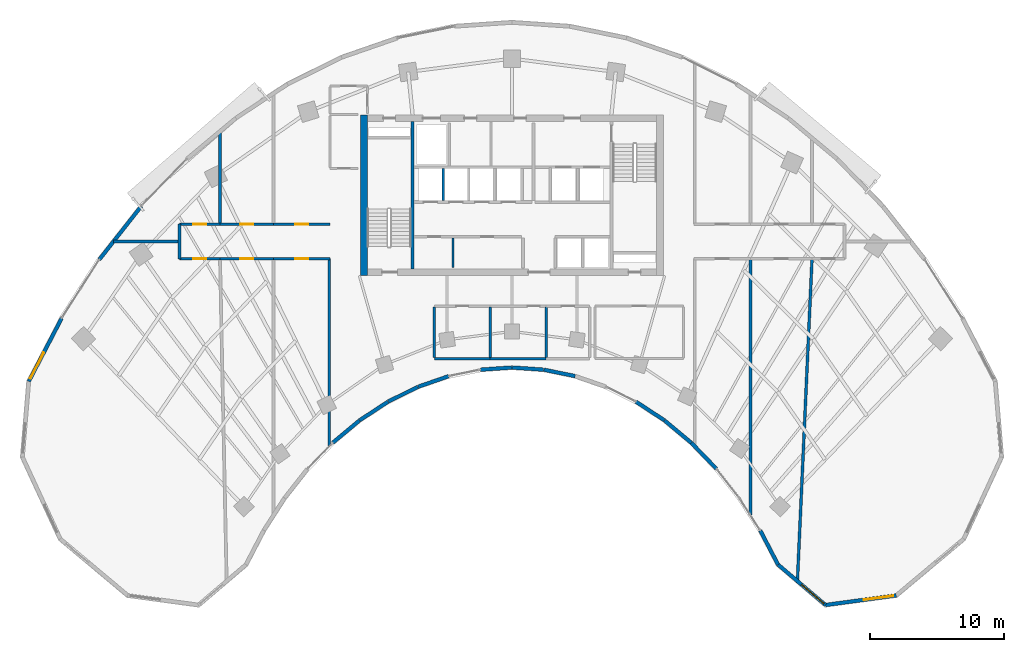
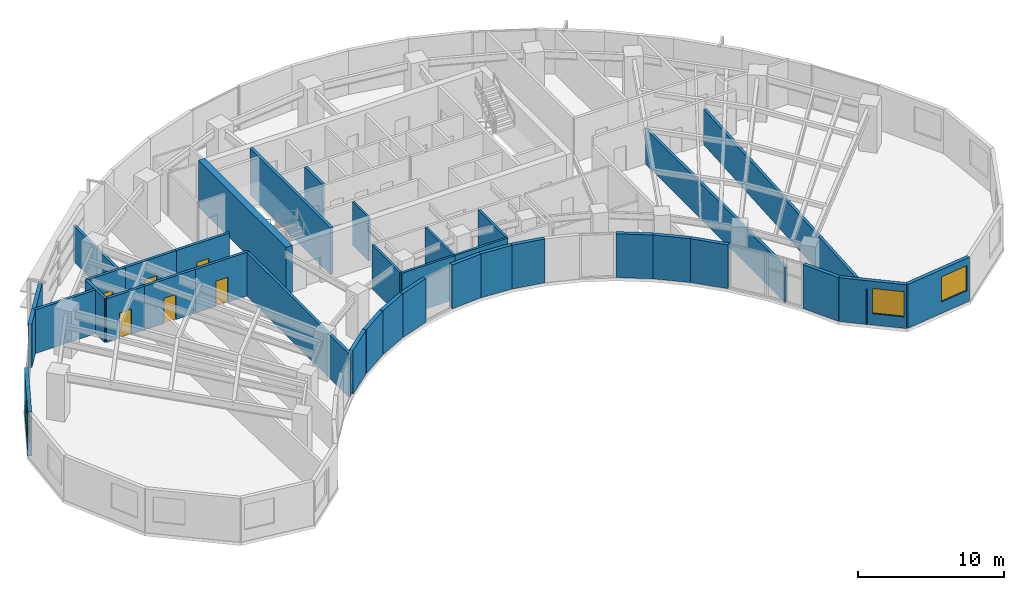
# One storey, part 8 of 14: 36 walls, 6 doors, 3 windows, 9 openings.
"""IFC4 building model written with IfcOpenShell, lengths in metres."""

from ifc_helpers import new_model, si_unit, direction, frame, frame_2d, origin, place, context, subcontext, project, spatial, rectangle, extrude, source, transform, mapped, material, layer, layer_set, type_object, type_shapes, element, fill, save


model = new_model("IFC4")

# Units and contexts
model_context = context("Model", 3, precision=1e-05, world=origin(), true_north=direction((0.0, 1.0)))
body_context = subcontext(model_context, "Body", "Model", "MODEL_VIEW")
ifc_project = project(units=[si_unit("LENGTHUNIT", "METRE"), si_unit("AREAUNIT", "SQUARE_METRE"), si_unit("VOLUMEUNIT", "CUBIC_METRE"), si_unit("PLANEANGLEUNIT", "RADIAN"), si_unit("MASSUNIT", "GRAM", prefix="KILO")], contexts=[model_context])

# Site, building, storey
site_placement = place(None, origin())
site = spatial("IfcSite", under=ifc_project, at=site_placement, CompositionType="ELEMENT")
building_placement = place(site_placement, origin())
building = spatial("IfcBuilding", under=site, at=building_placement, Name="Breltana Convention Tower", CompositionType="ELEMENT")
storey_placement = place(building_placement, frame((0.0, 0.0, 138.89990234375)))
storey = spatial("IfcBuildingStorey", under=building, at=storey_placement, Name="L33", CompositionType="ELEMENT", Elevation=138.89990234375)

# Walls
ifc_material_1 = material(Name="Concrete C60/75", Category="concrete")
ifc_layer_1 = layer(ifc_material_1, 0.5, Name="Concrete C60/75")
ifc_layer_set_1 = layer_set([ifc_layer_1], Name="Concrete C60/75")
wall_type_1 = type_object("IfcWallType", Name="SW-CORE-500", PredefinedType="SHEAR", material=ifc_layer_set_1)
shared_shape_1 = source(origin(), body_context, "Body", "SweptSolid", [
    extrude(rectangle(XDim=12.0, YDim=0.5, at=frame_2d((6.0, 0.0))), origin(), (0.0, 0.0, 1.0), 3.900146484375),
])
wall_1_placement = place(storey_placement, frame((36.949951171875, 60.199951171875, 0.0), z_axis=(0.0, 0.0, 1.0), x_axis=(0.0, 1.0, 0.0)))
element("IfcWall", 1, at=wall_1_placement, inside=storey, type_object=wall_type_1, Name="L33 West Core Shear Wall", PredefinedType="SHEAR", context=body_context, shape_type="MappedRepresentation", body=[
    mapped(shared_shape_1, transform((0.0, 0.0, 0.0), scale=1.0)),
])
ifc_material_2 = material(Name="Concrete C50/60", Category="concrete")
ifc_layer_2 = layer(ifc_material_2, 0.39990234375, Name="Concrete C50/60")
ifc_layer_set_2 = layer_set([ifc_layer_2], Name="Concrete C50/60")
wall_type_2 = type_object("IfcWallType", Name="SW-CORE-400", PredefinedType="SHEAR", material=ifc_layer_set_2)
shared_shape_2 = source(origin(), body_context, "Body", "SweptSolid", [
    extrude(rectangle(XDim=11.0, YDim=0.219970703125, at=frame_2d((5.5, 0.0))), origin(), (0.0, 0.0, 1.0), 3.900146484375),
])
wall_2_placement = place(storey_placement, frame((40.580078125, 60.699951171875, 0.0), z_axis=(0.0, 0.0, 1.0), x_axis=(0.0, 1.0, 0.0)))
element("IfcWall", 2, at=wall_2_placement, inside=storey, type_object=wall_type_2, Name="L33 Core West Stair Spine Wall", PredefinedType="SHEAR", context=body_context, shape_type="MappedRepresentation", body=[
    mapped(shared_shape_2, transform((0.0, 0.0, 0.0), scale=1.0)),
])

# Wall, opening, window
ifc_material_3 = material(Name="Limestone Buff Insulated Wall", Category="masonry")
ifc_layer_3 = layer(ifc_material_3, 0.280029296875, Name="Limestone Buff Insulated Wall")
ifc_layer_set_3 = layer_set([ifc_layer_3], Name="Limestone Buff Insulated Wall")
wall_type_3 = type_object("IfcWallType", Name="WL-EXT-NOSE-280", PredefinedType="SOLIDWALL", material=ifc_layer_set_3)
shared_shape_3 = source(origin(), body_context, "Body", "SweptSolid", [
    extrude(rectangle(XDim=5.32373046875, YDim=0.280029296875, at=frame_2d((2.661865234375, 0.0))), origin(), (0.0, 0.0, 1.0), 3.650146484375),
])
wall_3_placement = place(storey_placement, frame((76.685791015625, 36.321533203125, 0.0), z_axis=(0.0, 0.0, 1.0), x_axis=(-0.990931467223, -0.134368252451, 0.0)))
wall_3 = element("IfcWall", 3, at=wall_3_placement, inside=storey, type_object=wall_type_3, Name="L33 curved limestone nose wall E4", PredefinedType="SOLIDWALL", context=body_context, shape_type="MappedRepresentation", body=[
    mapped(shared_shape_3, transform((0.0, 0.0, 0.0), scale=1.0)),
])
opening_1_placement = place(wall_3_placement, frame((0.23095703125, 0.0, 0.949951171875)))
opening_1 = element("IfcOpeningElement", 4, at=opening_1_placement, cuts=wall_3, Name="Opening W-03", PredefinedType="OPENING", context=body_context, shape_type="SweptSolid", body=[
    extrude(rectangle(XDim=2.199951171875, YDim=2.10009765625, at=frame_2d((1.10009765625, 1.050048828125))), frame((0.0, 0.14990234375, 0.0), z_axis=(0.0, -1.0, 0.0), x_axis=(1.0, 0.0, 0.0)), (0.0, 0.0, 1.0), 0.300048828125),
])
ifc_material_4 = material(Name="Glass Low-E Insulated Window", Category="glass")
window_type = type_object("IfcWindowType", Name="WN-NOSE-2200X2100", PartitioningType="TRIPLE_PANEL_VERTICAL", PredefinedType="WINDOW", material=ifc_material_4)
shared_shape_4 = source(origin(), body_context, "Body", "SweptSolid", [
    extrude(rectangle(XDim=2.199951171875, YDim=2.10009765625, at=frame_2d((1.10009765625, 1.050048828125))), frame((0.0, 0.030029296875, 0.0), z_axis=(0.0, -1.0, 0.0), x_axis=(1.0, 0.0, 0.0)), (0.0, 0.0, 1.0), 0.06005859375),
])
type_shapes(window_type, [shared_shape_4])
window_1_placement = place(opening_1_placement, origin())
window_1 = element("IfcWindow", 5, at=window_1_placement, inside=storey, type_object=window_type, Name="L33 nose window E4", OverallHeight=2.10009765625, OverallWidth=2.199951171875, PartitioningType="TRIPLE_PANEL_VERTICAL", PredefinedType="WINDOW", context=body_context, shape_type="MappedRepresentation", body=[
    mapped(shared_shape_4, transform((0.0, 0.0, 0.0), scale=1.0)),
])
fill(opening_1, window_1)

shared_shape_5 = source(origin(), body_context, "Body", "SweptSolid", [
    extrude(rectangle(XDim=4.6591796875, YDim=0.280029296875, at=frame_2d((2.32958984375, 0.0))), origin(), (0.0, 0.0, 1.0), 3.650146484375),
])
wall_4_placement = place(storey_placement, frame((71.410400390625, 35.606201171875, 0.0), z_axis=(0.0, 0.0, 1.0), x_axis=(-0.761913458795, 0.647678841176, 0.0)))
wall_4 = element("IfcWall", 6, at=wall_4_placement, inside=storey, type_object=wall_type_3, Name="L33 curved limestone nose wall E5", PredefinedType="SOLIDWALL", context=body_context, shape_type="MappedRepresentation", body=[
    mapped(shared_shape_5, transform((0.0, 0.0, 0.0), scale=1.0)),
])
opening_2_placement = place(wall_4_placement, frame((0.159912109375, 0.0, 0.949951171875)))
opening_2 = element("IfcOpeningElement", 7, at=opening_2_placement, cuts=wall_4, Name="Opening W-03", PredefinedType="OPENING", context=body_context, shape_type="SweptSolid", body=[
    extrude(rectangle(XDim=2.199951171875, YDim=2.10009765625, at=frame_2d((1.10009765625, 1.050048828125))), frame((0.0, 0.14990234375, 0.0), z_axis=(0.0, -1.0, 0.0), x_axis=(1.0, 0.0, 0.0)), (0.0, 0.0, 1.0), 0.300048828125),
])
window_2_placement = place(opening_2_placement, origin())
window_2 = element("IfcWindow", 8, at=window_2_placement, inside=storey, type_object=window_type, Name="L33 nose window E5", OverallHeight=2.10009765625, OverallWidth=2.199951171875, PartitioningType="TRIPLE_PANEL_VERTICAL", PredefinedType="WINDOW", context=body_context, shape_type="MappedRepresentation", body=[
    mapped(shared_shape_4, transform((0.0, 0.0, 0.0), scale=1.0)),
])
fill(opening_2, window_2)

# Walls
shared_shape_6 = source(origin(), body_context, "Body", "SweptSolid", [
    extrude(rectangle(XDim=2.8798828125, YDim=0.280029296875, at=frame_2d((1.43994140625, 0.0))), origin(), (0.0, 0.0, 1.0), 3.650146484375),
])
wall_5_placement = place(storey_placement, frame((67.860595703125, 38.623779296875, 0.0), z_axis=(0.0, 0.0, 1.0), x_axis=(-0.461769086658, 0.887000175088, 0.0)))
element("IfcWall", 9, at=wall_5_placement, inside=storey, type_object=wall_type_3, Name="L33 curved limestone nose wall E6", PredefinedType="SOLIDWALL", context=body_context, shape_type="MappedRepresentation", body=[
    mapped(shared_shape_6, transform((0.0, 0.0, 0.0), scale=1.0)),
])
shared_shape_7 = source(origin(), body_context, "Body", "SweptSolid", [
    extrude(rectangle(XDim=2.679931640625, YDim=0.280029296875, at=frame_2d((1.33984375, 0.0))), origin(), (0.0, 0.0, 1.0), 3.650146484375),
])
wall_6_placement = place(storey_placement, frame((63.260009765625, 45.780029296875, 0.0), z_axis=(0.0, 0.0, 1.0), x_axis=(-0.694561996568, 0.719432855049, 0.0)))
element("IfcWall", 10, at=wall_6_placement, inside=storey, type_object=wall_type_3, Name="L33 curved limestone nose wall E7", PredefinedType="SOLIDWALL", context=body_context, shape_type="MappedRepresentation", body=[
    mapped(shared_shape_7, transform((0.0, 0.0, 0.0), scale=1.0)),
])
shared_shape_8 = source(origin(), body_context, "Body", "SweptSolid", [
    extrude(rectangle(XDim=2.600830078125, YDim=0.280029296875, at=frame_2d((1.30029296875, 0.0))), origin(), (0.0, 0.0, 1.0), 3.650146484375),
])
for number, where, z_axis, x_axis, name in (
    (11, (61.384521484375, 47.72119140625, 0.0), (0.0, 0.0, 1.0), (-0.76796730295, 0.640489048775, 0.0), "L33 curved limestone nose wall E8"),
    (12, (36.61279296875, 49.386962890625, 0.0), (0.0, 0.0, 1.0), (-0.76796730295, -0.640489048775, 0.0), "L33 curved limestone nose wall E17"),
):
    element("IfcWall", number, at=place(storey_placement, frame(where, z_axis=z_axis, x_axis=x_axis)), inside=storey, type_object=wall_type_3, Name=name, PredefinedType="SOLIDWALL", context=body_context, shape_type="MappedRepresentation", body=[
        mapped(shared_shape_8, transform((0.0, 0.0, 0.0), scale=1.0)),
    ])
shared_shape_9 = source(origin(), body_context, "Body", "SweptSolid", [
    extrude(rectangle(XDim=2.46240234375, YDim=0.280029296875, at=frame_2d((1.231201171875, 0.0))), origin(), (0.0, 0.0, 1.0), 3.650146484375),
])
wall_7_placement = place(storey_placement, frame((40.96728515625, 51.890625, 0.0), z_axis=(0.0, 0.0, 1.0), x_axis=(-0.8959882207, -0.444077817917, 0.0)))
element("IfcWall", 13, at=wall_7_placement, inside=storey, type_object=wall_type_3, Name="L33 curved limestone nose wall E15", PredefinedType="SOLIDWALL", context=body_context, shape_type="MappedRepresentation", body=[
    mapped(shared_shape_9, transform((0.0, 0.0, 0.0), scale=1.0)),
])
shared_shape_10 = source(origin(), body_context, "Body", "SweptSolid", [
    extrude(rectangle(XDim=2.41064453125, YDim=0.280029296875, at=frame_2d((1.205322265625, 0.0))), origin(), (0.0, 0.0, 1.0), 3.650146484375),
])
wall_8_placement = place(storey_placement, frame((43.26611328125, 52.688720703125, 0.0), z_axis=(0.0, 0.0, 1.0), x_axis=(-0.944880068161, -0.327416640982, 0.0)))
element("IfcWall", 14, at=wall_8_placement, inside=storey, type_object=wall_type_3, Name="L33 curved limestone nose wall E14", PredefinedType="SOLIDWALL", context=body_context, shape_type="MappedRepresentation", body=[
    mapped(shared_shape_10, transform((0.0, 0.0, 0.0), scale=1.0)),
])
shared_shape_11 = source(origin(), body_context, "Body", "SweptSolid", [
    extrude(rectangle(XDim=2.373779296875, YDim=0.280029296875, at=frame_2d((1.18701171875, 0.0))), origin(), (0.0, 0.0, 1.0), 3.650146484375),
])
wall_9_placement = place(storey_placement, frame((52.711181640625, 52.695068359375, 0.0), z_axis=(0.0, 0.0, 1.0), x_axis=(-0.979619827472, 0.200860632341, 0.0)))
element("IfcWall", 15, at=wall_9_placement, inside=storey, type_object=wall_type_3, Name="L33 curved limestone nose wall E11", PredefinedType="SOLIDWALL", context=body_context, shape_type="MappedRepresentation", body=[
    mapped(shared_shape_11, transform((0.0, 0.0, 0.0), scale=1.0)),
])
shared_shape_12 = source(origin(), body_context, "Body", "SweptSolid", [
    extrude(rectangle(XDim=2.35498046875, YDim=0.280029296875, at=frame_2d((1.177490234375, 0.0))), origin(), (0.0, 0.0, 1.0), 3.650146484375),
])
for number, where, z_axis, x_axis, name in (
    (16, (50.36181640625, 53.175048828125, 0.0), (0.0, 0.0, 1.0), (-0.997699017577, 0.067798748701, 0.0), "L33 curved limestone nose wall E12"),
    (17, (47.98779296875, 53.334716796875, 0.0), (0.0, 0.0, 1.0), (-0.997699017577, -0.067798748701, 0.0), "L33 curved limestone nose wall E13"),
):
    element("IfcWall", number, at=place(storey_placement, frame(where, z_axis=z_axis, x_axis=x_axis)), inside=storey, type_object=wall_type_3, Name=name, PredefinedType="SOLIDWALL", context=body_context, shape_type="MappedRepresentation", body=[
        mapped(shared_shape_12, transform((0.0, 0.0, 0.0), scale=1.0)),
    ])
shared_shape_13 = source(origin(), body_context, "Body", "SweptSolid", [
    extrude(rectangle(XDim=2.52734375, YDim=0.280029296875, at=frame_2d((1.263671875, 0.0))), origin(), (0.0, 0.0, 1.0), 3.650146484375),
])
for number, where, z_axis, x_axis, name in (
    (18, (59.37060546875, 49.3994140625, 0.0), (0.0, 0.0, 1.0), (-0.836011905051, 0.548711303523, 0.0), "L33 curved limestone nose wall E9"),
    (19, (38.7421875, 50.7861328125, 0.0), (0.0, 0.0, 1.0), (-0.836011905051, -0.548711303523, 0.0), "L33 curved limestone nose wall E16"),
):
    element("IfcWall", number, at=place(storey_placement, frame(where, z_axis=z_axis, x_axis=x_axis)), inside=storey, type_object=wall_type_3, Name=name, PredefinedType="SOLIDWALL", context=body_context, shape_type="MappedRepresentation", body=[
        mapped(shared_shape_13, transform((0.0, 0.0, 0.0), scale=1.0)),
    ])

# Wall, opening, window
shared_shape_14 = source(origin(), body_context, "Body", "SweptSolid", [
    extrude(rectangle(XDim=5.315185546875, YDim=0.280029296875, at=frame_2d((2.65771484375, 0.0))), origin(), (0.0, 0.0, 1.0), 3.650146484375),
])
wall_10_placement = place(storey_placement, frame((11.92236328125, 52.305419921875, 0.0), z_axis=(0.0, 0.0, 1.0), x_axis=(0.461760527822, 0.887004630735, 0.0)))
wall_10 = element("IfcWall", 20, at=wall_10_placement, inside=storey, type_object=wall_type_3, Name="L33 curved limestone nose wall W7", PredefinedType="SOLIDWALL", context=body_context, shape_type="MappedRepresentation", body=[
    mapped(shared_shape_14, transform((0.0, 0.0, 0.0), scale=1.0)),
])
opening_3_placement = place(wall_10_placement, frame((0.228759765625, 0.0, 0.949951171875)))
opening_3 = element("IfcOpeningElement", 21, at=opening_3_placement, cuts=wall_10, Name="Opening W-03", PredefinedType="OPENING", context=body_context, shape_type="SweptSolid", body=[
    extrude(rectangle(XDim=2.199951171875, YDim=2.10009765625, at=frame_2d((1.10009765625, 1.050048828125))), frame((0.0, 0.14990234375, 0.0), z_axis=(0.0, -1.0, 0.0), x_axis=(1.0, 0.0, 0.0)), (0.0, 0.0, 1.0), 0.300048828125),
])
window_3_placement = place(opening_3_placement, origin())
window_3 = element("IfcWindow", 22, at=window_3_placement, inside=storey, type_object=window_type, Name="L33 nose window W7", OverallHeight=2.10009765625, OverallWidth=2.199951171875, PartitioningType="TRIPLE_PANEL_VERTICAL", PredefinedType="WINDOW", context=body_context, shape_type="MappedRepresentation", body=[
    mapped(shared_shape_4, transform((0.0, 0.0, 0.0), scale=1.0)),
])
fill(opening_3, window_3)

# Walls
shared_shape_15 = source(origin(), body_context, "Body", "SweptSolid", [
    extrude(rectangle(XDim=5.05810546875, YDim=0.280029296875, at=frame_2d((2.529052734375, 0.0))), origin(), (0.0, 0.0, 1.0), 3.650146484375),
])
wall_11_placement = place(storey_placement, frame((17.1884765625, 61.400390625, 0.0), z_axis=(0.0, 0.0, 1.0), x_axis=(0.618145507434, 0.786063694391, 0.0)))
element("IfcWall", 23, at=wall_11_placement, inside=storey, type_object=wall_type_3, Name="L33 curved limestone nose wall E20", PredefinedType="SOLIDWALL", context=body_context, shape_type="MappedRepresentation", body=[
    mapped(shared_shape_15, transform((0.0, 0.0, 0.0), scale=1.0)),
])
ifc_material_5 = material(Name="Autoclaved Aerated Concrete Block", Category="concrete")
ifc_layer_4 = layer(ifc_material_5, 0.199951171875, Name="Autoclaved Aerated Concrete Block")
ifc_layer_set_4 = layer_set([ifc_layer_4], Name="Autoclaved Aerated Concrete Block")
wall_type_4 = type_object("IfcWallType", Name="WL-SHAFT-200", PredefinedType="SOLIDWALL", material=ifc_layer_set_4)
shared_shape_16 = source(origin(), body_context, "Body", "SweptSolid", [
    extrude(rectangle(XDim=2.39990234375, YDim=0.199951171875, at=frame_2d((1.199951171875, 0.0))), origin(), (0.0, 0.0, 1.0), 3.650146484375),
])
wall_12_placement = place(storey_placement, frame((42.8701171875, 65.800048828125, 0.0), z_axis=(0.0, 0.0, 1.0), x_axis=(0.0, 1.0, 0.0)))
element("IfcWall", 24, at=wall_12_placement, inside=storey, type_object=wall_type_4, Name="L33 interior partition W-L33-SH-M-DIV1", PredefinedType="SOLIDWALL", context=body_context, shape_type="MappedRepresentation", body=[
    mapped(shared_shape_16, transform((0.0, 0.0, 0.0), scale=1.0)),
])
ifc_material_6 = material(Name="Cement Board Wet-Area Partition")
ifc_layer_5 = layer(ifc_material_6, 0.175048828125, Name="Cement Board Wet-Area Partition")
ifc_layer_set_5 = layer_set([ifc_layer_5], Name="Cement Board Wet-Area Partition")
wall_type_5 = type_object("IfcWallType", Name="WL-WET-175", PredefinedType="PARTITIONING", material=ifc_layer_set_5)
shared_shape_17 = source(origin(), body_context, "Body", "SweptSolid", [
    extrude(rectangle(XDim=4.176025390625, YDim=0.175048828125, at=frame_2d((2.087890625, 0.0))), origin(), (0.0, 0.0, 1.0), 3.650146484375),
])
for number, where, z_axis, x_axis, name in (
    (25, (42.199951171875, 54.0, 0.0), (0.0, 0.0, 1.0), (1.0, 0.0, 0.0), "L33 interior partition W-L33-WCM-S"),
    (26, (46.3759765625, 54.0, 0.0), (0.0, 0.0, 1.0), (1.0, 0.0, 0.0), "L33 interior partition W-L33-WCF-S"),
):
    element("IfcWall", number, at=place(storey_placement, frame(where, z_axis=z_axis, x_axis=x_axis)), inside=storey, type_object=wall_type_5, Name=name, PredefinedType="PARTITIONING", context=body_context, shape_type="MappedRepresentation", body=[
        mapped(shared_shape_17, transform((0.0, 0.0, 0.0), scale=1.0)),
    ])
shared_shape_18 = source(origin(), body_context, "Body", "SweptSolid", [
    extrude(rectangle(XDim=3.7626953125, YDim=0.175048828125, at=frame_2d((1.88134765625, 0.0))), origin(), (0.0, 0.0, 1.0), 3.650146484375),
])
for number, where, z_axis, x_axis, name in (
    (27, (42.199951171875, 54.07861328125, 0.0), (0.0, 0.0, 1.0), (0.0, 1.0, 0.0), "L33 interior partition W-L33-WCM-W"),
    (28, (46.3759765625, 54.07861328125, 0.0), (0.0, 0.0, 1.0), (0.0, 1.0, 0.0), "L33 interior partition W-L33-WCM-E"),
    (29, (50.552001953125, 54.07861328125, 0.0), (0.0, 0.0, 1.0), (0.0, 1.0, 0.0), "L33 interior partition W-L33-WCF-E"),
):
    element("IfcWall", number, at=place(storey_placement, frame(where, z_axis=z_axis, x_axis=x_axis)), inside=storey, type_object=wall_type_5, Name=name, PredefinedType="PARTITIONING", context=body_context, shape_type="MappedRepresentation", body=[
        mapped(shared_shape_18, transform((0.0, 0.0, 0.0), scale=1.0)),
    ])
ifc_material_7 = material(Name="Gypsum Acoustic Drywall Partition")
ifc_layer_6 = layer(ifc_material_7, 0.14990234375, Name="Gypsum Acoustic Drywall Partition")
ifc_layer_set_6 = layer_set([ifc_layer_6], Name="Gypsum Acoustic Drywall Partition")
wall_type_6 = type_object("IfcWallType", Name="WL-PART-150", PredefinedType="PARTITIONING", material=ifc_layer_set_6)
shared_shape_19 = source(origin(), body_context, "Body", "SweptSolid", [
    extrude(rectangle(XDim=2.199951171875, YDim=0.14990234375, at=frame_2d((1.10009765625, 0.0))), origin(), (0.0, 0.0, 1.0), 3.650146484375),
])
wall_13_placement = place(storey_placement, frame((43.60009765625, 60.800048828125, 0.0), z_axis=(0.0, 0.0, 1.0), x_axis=(0.0, 1.0, 0.0)))
element("IfcWall", 30, at=wall_13_placement, inside=storey, type_object=wall_type_6, Name="L33 interior partition W-L33-LV7-B1-DIV", PredefinedType="PARTITIONING", context=body_context, shape_type="MappedRepresentation", body=[
    mapped(shared_shape_19, transform((0.0, 0.0, 0.0), scale=1.0)),
])

# Wall, opening, door
ifc_material_8 = material(Name="Autoclaved Aerated Masonry Blockwork", Category="masonry")
ifc_layer_7 = layer(ifc_material_8, 0.2099609375, Name="Autoclaved Aerated Masonry Blockwork")
ifc_layer_set_7 = layer_set([ifc_layer_7], Name="Autoclaved Aerated Masonry Blockwork")
wall_type_7 = type_object("IfcWallType", Name="WL-PART-200", PredefinedType="PARTITIONING", material=ifc_layer_set_7)
shared_shape_20 = source(origin(), body_context, "Body", "SweptSolid", [
    extrude(rectangle(XDim=3.02001953125, YDim=0.2099609375, at=frame_2d((1.510009765625, 0.0))), origin(), (0.0, 0.0, 1.0), 3.650146484375),
])
wall_14_placement = place(storey_placement, frame((23.179931640625, 64.0400390625, 0.0), z_axis=(0.0, 0.0, 1.0), x_axis=(1.0, 0.0, 0.0)))
wall_14 = element("IfcWall", 31, at=wall_14_placement, inside=storey, type_object=wall_type_7, Name="L33 interior partition W-L33-ZWN1-D", PredefinedType="PARTITIONING", context=body_context, shape_type="MappedRepresentation", body=[
    mapped(shared_shape_20, transform((0.0, 0.0, 0.0), scale=1.0)),
])
opening_4_placement = place(wall_14_placement, frame((1.034912109375, 0.0, 0.0)))
opening_4 = element("IfcOpeningElement", 32, at=opening_4_placement, cuts=wall_14, Name="Opening D-17", PredefinedType="OPENING", context=body_context, shape_type="SweptSolid", body=[
    extrude(rectangle(XDim=0.949951171875, YDim=2.10009765625, at=frame_2d((0.47509765625, 1.050048828125))), frame((0.0, 0.114990234375, 0.0), z_axis=(0.0, -1.0, 0.0), x_axis=(1.0, 0.0, 0.0)), (0.0, 0.0, 1.0), 0.22998046875),
])
ifc_material_9 = material(Name="Timber Oak Veneer Door", Category="wood")
door_type = type_object("IfcDoorType", Name="DR-INT-950", OperationType="NOTDEFINED", PredefinedType="DOOR", material=ifc_material_9)
shared_shape_21 = source(origin(), body_context, "Body", "SweptSolid", [
    extrude(rectangle(XDim=0.949951171875, YDim=2.10009765625, at=frame_2d((0.47509765625, 1.050048828125))), frame((0.0, 0.02490234375, 0.0), z_axis=(0.0, -1.0, 0.0), x_axis=(1.0, 0.0, 0.0)), (0.0, 0.0, 1.0), 0.050048828125),
])
type_shapes(door_type, [shared_shape_21])
door_1_placement = place(opening_4_placement, origin())
door_1 = element("IfcDoor", 33, at=door_1_placement, inside=storey, type_object=door_type, Name="L33 interior door D-L33-ZWN1", OperationType="SINGLE_SWING_RIGHT", OverallHeight=2.10009765625, OverallWidth=0.949951171875, PredefinedType="DOOR", context=body_context, shape_type="MappedRepresentation", body=[
    mapped(shared_shape_21, transform((0.0, 0.0, 0.0), scale=1.0)),
])
fill(opening_4, door_1)

wall_15_placement = place(storey_placement, frame((23.179931640625, 61.4599609375, 0.0), z_axis=(0.0, 0.0, 1.0), x_axis=(1.0, 0.0, 0.0)))
wall_15 = element("IfcWall", 34, at=wall_15_placement, inside=storey, type_object=wall_type_7, Name="L33 interior partition W-L33-ZWS1-D", PredefinedType="PARTITIONING", context=body_context, shape_type="MappedRepresentation", body=[
    mapped(shared_shape_20, transform((0.0, 0.0, 0.0), scale=1.0)),
])
opening_5_placement = place(wall_15_placement, frame((1.034912109375, 0.0, 0.0)))
opening_5 = element("IfcOpeningElement", 35, at=opening_5_placement, cuts=wall_15, Name="Opening D-17", PredefinedType="OPENING", context=body_context, shape_type="SweptSolid", body=[
    extrude(rectangle(XDim=0.949951171875, YDim=2.10009765625, at=frame_2d((0.47509765625, 1.050048828125))), frame((0.0, 0.114990234375, 0.0), z_axis=(0.0, -1.0, 0.0), x_axis=(1.0, 0.0, 0.0)), (0.0, 0.0, 1.0), 0.22998046875),
])
door_2_placement = place(opening_5_placement, origin())
door_2 = element("IfcDoor", 36, at=door_2_placement, inside=storey, type_object=door_type, Name="L33 interior door D-L33-ZWS1", OperationType="SINGLE_SWING_LEFT", OverallHeight=2.10009765625, OverallWidth=0.949951171875, PredefinedType="DOOR", context=body_context, shape_type="MappedRepresentation", body=[
    mapped(shared_shape_21, transform((0.0, 0.0, 0.0), scale=1.0)),
])
fill(opening_5, door_2)

# Wall
shared_shape_22 = source(origin(), body_context, "Body", "SweptSolid", [
    extrude(rectangle(XDim=6.89892578125, YDim=0.2099609375, at=frame_2d((3.449462890625, 0.0))), origin(), (0.0, 0.0, 1.0), 2.942138671875),
])
wall_16_placement = place(storey_placement, frame((26.199951171875, 64.06005859375, 0.0), z_axis=(0.0, 0.0, 1.0), x_axis=(0.0, 1.0, 0.0)))
element("IfcWall", 37, at=wall_16_placement, inside=storey, type_object=wall_type_7, Name="L33 interior partition W-L33-ZWN1-E", PredefinedType="PARTITIONING", context=body_context, shape_type="MappedRepresentation", body=[
    mapped(shared_shape_22, transform((0.0, 0.0, 0.0), scale=1.0)),
])

# Wall, opening, door
shared_shape_23 = source(origin(), body_context, "Body", "SweptSolid", [
    extrude(rectangle(XDim=4.0, YDim=0.2099609375, at=frame_2d((2.0, 0.0))), origin(), (0.0, 0.0, 1.0), 3.650146484375),
])
wall_17_placement = place(storey_placement, frame((26.199951171875, 64.0400390625, 0.0), z_axis=(0.0, 0.0, 1.0), x_axis=(1.0, 0.0, 0.0)))
wall_17 = element("IfcWall", 38, at=wall_17_placement, inside=storey, type_object=wall_type_7, Name="L33 interior partition W-L33-ZWN2-D", PredefinedType="PARTITIONING", context=body_context, shape_type="MappedRepresentation", body=[
    mapped(shared_shape_23, transform((0.0, 0.0, 0.0), scale=1.0)),
])
opening_6_placement = place(wall_17_placement, frame((1.52490234375, 0.0, 0.0)))
opening_6 = element("IfcOpeningElement", 39, at=opening_6_placement, cuts=wall_17, Name="Opening D-17", PredefinedType="OPENING", context=body_context, shape_type="SweptSolid", body=[
    extrude(rectangle(XDim=0.949951171875, YDim=2.10009765625, at=frame_2d((0.47509765625, 1.050048828125))), frame((0.0, 0.114990234375, 0.0), z_axis=(0.0, -1.0, 0.0), x_axis=(1.0, 0.0, 0.0)), (0.0, 0.0, 1.0), 0.22998046875),
])
door_3_placement = place(opening_6_placement, origin())
door_3 = element("IfcDoor", 40, at=door_3_placement, inside=storey, type_object=door_type, Name="L33 interior door D-L33-ZWN2", OperationType="SINGLE_SWING_LEFT", OverallHeight=2.10009765625, OverallWidth=0.949951171875, PredefinedType="DOOR", context=body_context, shape_type="MappedRepresentation", body=[
    mapped(shared_shape_21, transform((0.0, 0.0, 0.0), scale=1.0)),
])
fill(opening_6, door_3)

wall_18_placement = place(storey_placement, frame((26.199951171875, 61.4599609375, 0.0), z_axis=(0.0, 0.0, 1.0), x_axis=(1.0, 0.0, 0.0)))
wall_18 = element("IfcWall", 41, at=wall_18_placement, inside=storey, type_object=wall_type_7, Name="L33 interior partition W-L33-ZWS2-D", PredefinedType="PARTITIONING", context=body_context, shape_type="MappedRepresentation", body=[
    mapped(shared_shape_23, transform((0.0, 0.0, 0.0), scale=1.0)),
])
opening_7_placement = place(wall_18_placement, frame((1.52490234375, 0.0, 0.0)))
opening_7 = element("IfcOpeningElement", 42, at=opening_7_placement, cuts=wall_18, Name="Opening D-17", PredefinedType="OPENING", context=body_context, shape_type="SweptSolid", body=[
    extrude(rectangle(XDim=0.949951171875, YDim=2.10009765625, at=frame_2d((0.47509765625, 1.050048828125))), frame((0.0, 0.114990234375, 0.0), z_axis=(0.0, -1.0, 0.0), x_axis=(1.0, 0.0, 0.0)), (0.0, 0.0, 1.0), 0.22998046875),
])
door_4_placement = place(opening_7_placement, origin())
door_4 = element("IfcDoor", 43, at=door_4_placement, inside=storey, type_object=door_type, Name="L33 interior door D-L33-ZWS2", OperationType="SINGLE_SWING_RIGHT", OverallHeight=2.10009765625, OverallWidth=0.949951171875, PredefinedType="DOOR", context=body_context, shape_type="MappedRepresentation", body=[
    mapped(shared_shape_21, transform((0.0, 0.0, 0.0), scale=1.0)),
])
fill(opening_7, door_4)

shared_shape_24 = source(origin(), body_context, "Body", "SweptSolid", [
    extrude(rectangle(XDim=4.199951171875, YDim=0.2099609375, at=frame_2d((2.10009765625, 0.0))), origin(), (0.0, 0.0, 1.0), 3.650146484375),
])
wall_19_placement = place(storey_placement, frame((30.199951171875, 64.0400390625, 0.0), z_axis=(0.0, 0.0, 1.0), x_axis=(1.0, 0.0, 0.0)))
wall_19 = element("IfcWall", 44, at=wall_19_placement, inside=storey, type_object=wall_type_7, Name="L33 interior partition W-L33-ZWN3-D", PredefinedType="PARTITIONING", context=body_context, shape_type="MappedRepresentation", body=[
    mapped(shared_shape_24, transform((0.0, 0.0, 0.0), scale=1.0)),
])
opening_8_placement = place(wall_19_placement, frame((1.625, 0.0, 0.0)))
opening_8 = element("IfcOpeningElement", 45, at=opening_8_placement, cuts=wall_19, Name="Opening D-17", PredefinedType="OPENING", context=body_context, shape_type="SweptSolid", body=[
    extrude(rectangle(XDim=0.949951171875, YDim=2.10009765625, at=frame_2d((0.47509765625, 1.050048828125))), frame((0.0, 0.114990234375, 0.0), z_axis=(0.0, -1.0, 0.0), x_axis=(1.0, 0.0, 0.0)), (0.0, 0.0, 1.0), 0.22998046875),
])
door_5_placement = place(opening_8_placement, origin())
door_5 = element("IfcDoor", 46, at=door_5_placement, inside=storey, type_object=door_type, Name="L33 interior door D-L33-ZWN3", OperationType="SINGLE_SWING_RIGHT", OverallHeight=2.10009765625, OverallWidth=0.949951171875, PredefinedType="DOOR", context=body_context, shape_type="MappedRepresentation", body=[
    mapped(shared_shape_21, transform((0.0, 0.0, 0.0), scale=1.0)),
])
fill(opening_8, door_5)

wall_20_placement = place(storey_placement, frame((30.199951171875, 61.4599609375, 0.0), z_axis=(0.0, 0.0, 1.0), x_axis=(1.0, 0.0, 0.0)))
wall_20 = element("IfcWall", 47, at=wall_20_placement, inside=storey, type_object=wall_type_7, Name="L33 interior partition W-L33-ZWS3-D", PredefinedType="PARTITIONING", context=body_context, shape_type="MappedRepresentation", body=[
    mapped(shared_shape_24, transform((0.0, 0.0, 0.0), scale=1.0)),
])
opening_9_placement = place(wall_20_placement, frame((1.625, 0.0, 0.0)))
opening_9 = element("IfcOpeningElement", 48, at=opening_9_placement, cuts=wall_20, Name="Opening D-17", PredefinedType="OPENING", context=body_context, shape_type="SweptSolid", body=[
    extrude(rectangle(XDim=0.949951171875, YDim=2.10009765625, at=frame_2d((0.47509765625, 1.050048828125))), frame((0.0, 0.114990234375, 0.0), z_axis=(0.0, -1.0, 0.0), x_axis=(1.0, 0.0, 0.0)), (0.0, 0.0, 1.0), 0.22998046875),
])
door_6_placement = place(opening_9_placement, origin())
door_6 = element("IfcDoor", 49, at=door_6_placement, inside=storey, type_object=door_type, Name="L33 interior door D-L33-ZWS3", OperationType="SINGLE_SWING_LEFT", OverallHeight=2.10009765625, OverallWidth=0.949951171875, PredefinedType="DOOR", context=body_context, shape_type="MappedRepresentation", body=[
    mapped(shared_shape_21, transform((0.0, 0.0, 0.0), scale=1.0)),
])
fill(opening_9, door_6)

# Walls
shared_shape_25 = source(origin(), body_context, "Body", "SweptSolid", [
    extrude(rectangle(XDim=19.103271484375, YDim=0.2099609375, at=frame_2d((9.5517578125, 0.0))), origin(), (0.0, 0.0, 1.0), 2.942138671875),
])
wall_21_placement = place(storey_placement, frame((65.800048828125, 42.336669921875, 0.0), z_axis=(0.0, 0.0, 1.0), x_axis=(0.0, 1.0, 0.0)))
element("IfcWall", 50, at=wall_21_placement, inside=storey, type_object=wall_type_7, Name="L33 interior partition W-L33-ZES1-E", PredefinedType="PARTITIONING", context=body_context, shape_type="MappedRepresentation", body=[
    mapped(shared_shape_25, transform((0.0, 0.0, 0.0), scale=1.0)),
])
shared_shape_26 = source(origin(), body_context, "Body", "SweptSolid", [
    extrude(rectangle(XDim=13.987548828125, YDim=0.2099609375, at=frame_2d((6.99365234375, 0.0))), origin(), (0.0, 0.0, 1.0), 3.650146484375),
])
wall_22_placement = place(storey_placement, frame((34.360107421875, 47.472412109375, 0.0), z_axis=(0.0, 0.0, 1.0), x_axis=(0.0, 1.0, 0.0)))
element("IfcWall", 51, at=wall_22_placement, inside=storey, type_object=wall_type_7, Name="L33 interior partition W-L33-ZODD-WC", PredefinedType="PARTITIONING", context=body_context, shape_type="MappedRepresentation", body=[
    mapped(shared_shape_26, transform((0.0, 0.0, 0.0), scale=1.0)),
])
shared_shape_27 = source(origin(), body_context, "Body", "SweptSolid", [
    extrude(rectangle(XDim=24.22412109375, YDim=0.2099609375, at=frame_2d((12.112060546875, 0.0))), origin(), (0.0, 0.0, 1.0), 2.942138671875),
])
wall_23_placement = place(storey_placement, frame((69.30224609375, 37.24072265625, 0.0), z_axis=(0.0, 0.0, 1.0), x_axis=(0.045312570313, 0.998972857975, 0.0)))
element("IfcWall", 52, at=wall_23_placement, inside=storey, type_object=wall_type_7, Name="L33 interior partition W-L33-ZES2-E", PredefinedType="PARTITIONING", context=body_context, shape_type="MappedRepresentation", body=[
    mapped(shared_shape_27, transform((0.0, 0.0, 0.0), scale=1.0)),
])
shared_shape_28 = source(origin(), body_context, "Body", "SweptSolid", [
    extrude(rectangle(XDim=2.6201171875, YDim=0.2099609375, at=frame_2d((1.31005859375, 0.0))), origin(), (0.0, 0.0, 1.0), 3.650146484375),
])
wall_24_placement = place(storey_placement, frame((23.179931640625, 61.43994140625, 0.0), z_axis=(0.0, 0.0, 1.0), x_axis=(0.0, 1.0, 0.0)))
element("IfcWall", 53, at=wall_24_placement, inside=storey, type_object=wall_type_7, Name="L33 interior partition W-L33-ZFW-CAP", PredefinedType="PARTITIONING", context=body_context, shape_type="MappedRepresentation", body=[
    mapped(shared_shape_28, transform((0.0, 0.0, 0.0), scale=1.0)),
])
shared_shape_29 = source(origin(), body_context, "Body", "SweptSolid", [
    extrude(rectangle(XDim=4.91748046875, YDim=0.2099609375, at=frame_2d((2.458740234375, 0.0))), origin(), (0.0, 0.0, 1.0), 3.650146484375),
])
wall_25_placement = place(storey_placement, frame((18.262451171875, 62.75, 0.0), z_axis=(0.0, 0.0, 1.0), x_axis=(1.0, 0.0, 0.0)))
element("IfcWall", 54, at=wall_25_placement, inside=storey, type_object=wall_type_7, Name="L33 interior partition W-L33-ZFW-EXT", PredefinedType="PARTITIONING", context=body_context, shape_type="MappedRepresentation", body=[
    mapped(shared_shape_29, transform((0.0, 0.0, 0.0), scale=1.0)),
])

save(model, "model.ifc")
